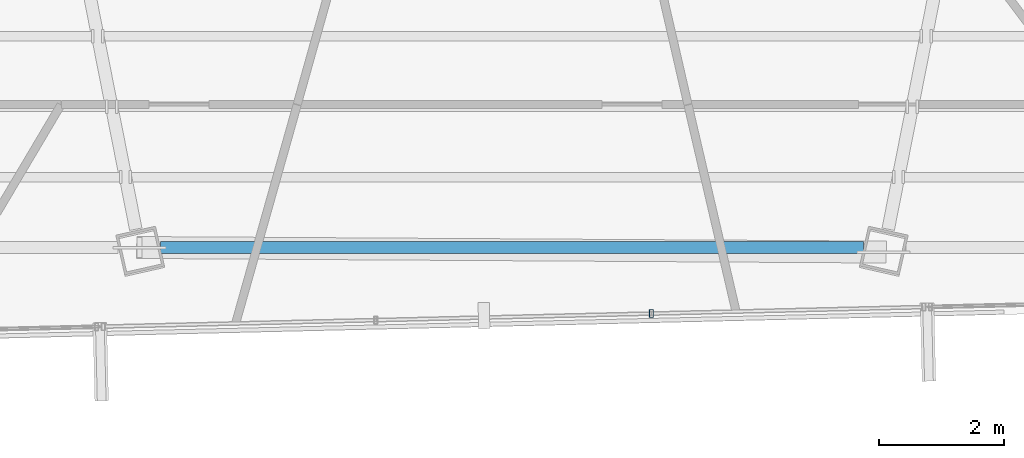
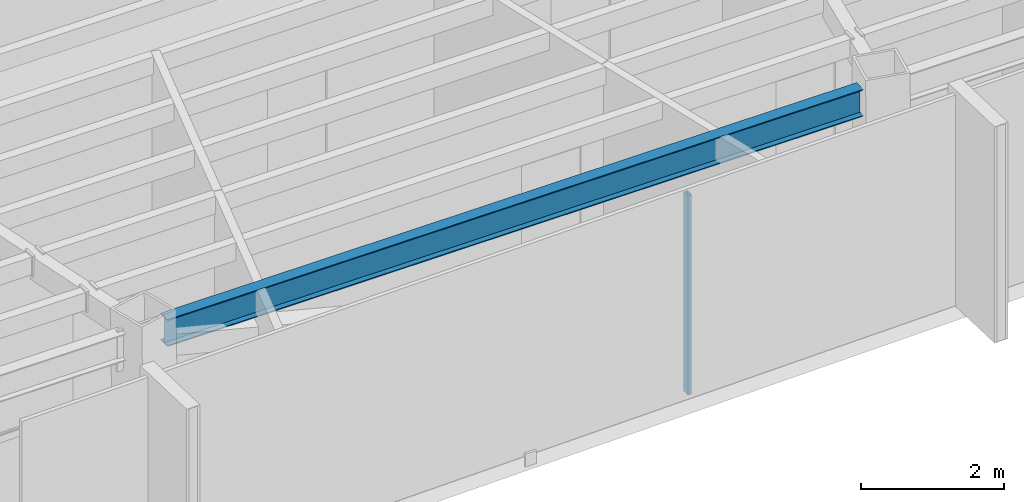
# One storey, part 13 of 45: 1 beam, 1 member, 1 element without a shape of its own.
"""IFC4 building model written with IfcOpenShell, lengths in metres."""

import ifcopenshell
import ifcopenshell.guid

model = None  # the IFC model being written
_history = None  # IfcOwnerHistory: only IFC2X3 demands one
_inside = {}  # id of a spatial element -> (the spatial element, [elements in it])
_under = {}  # id of a project, library or spatial element -> (it, [spatial elements below it])
_declared = {}  # id of a project -> (the project, [libraries it declares])
_typed = {}  # id of a type object -> (the type object, [elements of that type])
_made_of = {}  # id of a material, layer set ... -> (it, [elements and type objects made of it])


def new_model(schema):
    """Start an empty IFC model of exactly this schema.

    Asked for "IFC4X3", IfcOpenShell would pick the latest addendum, in which some entities
    have other attributes; the version numbers below select the first issue.
    IFC2X3 requires an IfcOwnerHistory on every rooted entity: one is made here for all.
    """
    global model, _history
    if schema == "IFC4X3":
        model = ifcopenshell.file(schema_version=(4, 3, 0, 0))
    else:
        model = ifcopenshell.file(schema=schema)
    _inside.clear()
    _under.clear()
    _declared.clear()
    _typed.clear()
    _made_of.clear()
    _history = None
    if model.schema == "IFC2X3":
        org = make("IfcOrganization", Name="unknown")
        user = make(
            "IfcPersonAndOrganization",
            ThePerson=make("IfcPerson", FamilyName="unknown"),
            TheOrganization=org,
        )
        app = make(
            "IfcApplication",
            ApplicationDeveloper=org,
            Version="unknown",
            ApplicationFullName="unknown",
            ApplicationIdentifier="unknown",
        )
        _history = make(
            "IfcOwnerHistory",
            OwningUser=user,
            OwningApplication=app,
            ChangeAction="ADDED",
            CreationDate=0,
        )
    return model


def make(cls, **values):
    """One entity of the class cls with the attributes given. An attribute that is None is left unset."""
    return model.create_entity(
        cls, **{name: value for name, value in values.items() if value is not None}
    )


def rooted(cls, **values):
    """An entity with a GlobalId (a new one), such as an element, a storey or a relation."""
    return make(cls, GlobalId=ifcopenshell.guid.new(), OwnerHistory=_history, **values)


def si_unit(unit_type, name, prefix=None):
    """IfcSIUnit, for example si_unit("LENGTHUNIT", "METRE", prefix="MILLI")."""
    return make("IfcSIUnit", UnitType=unit_type, Prefix=prefix, Name=name)


def assignment(units):
    """IfcUnitAssignment: the units of a project."""
    return None if units is None else make("IfcUnitAssignment", Units=units)


def point(xyz):
    """IfcCartesianPoint."""
    return None if xyz is None else make("IfcCartesianPoint", Coordinates=xyz)


def direction(xyz):
    """IfcDirection."""
    return None if xyz is None else make("IfcDirection", DirectionRatios=xyz)


def frame(location, z_axis=None, x_axis=None):
    """IfcAxis2Placement3D, a coordinate frame: its origin and axes. An axis left out is left unset."""
    return make(
        "IfcAxis2Placement3D",
        Location=point(location),
        Axis=direction(z_axis),
        RefDirection=direction(x_axis),
    )


def frame_2d(location, x_axis=None):
    """IfcAxis2Placement2D, a coordinate frame in the plane: its origin and x axis."""
    return make(
        "IfcAxis2Placement2D", Location=point(location), RefDirection=direction(x_axis)
    )


def origin():
    """The frame at (0, 0, 0) with its axes left unset."""
    return frame((0.0, 0.0, 0.0))


def origin_2d():
    """The frame at (0, 0) in the plane with its x axis left unset."""
    return frame_2d((0.0, 0.0))


def place(relative_to, where):
    """IfcLocalPlacement: puts the frame where relative to a parent placement (None: the world)."""
    return make(
        "IfcLocalPlacement", PlacementRelTo=relative_to, RelativePlacement=where
    )


def context(
    kind, dimensions, precision=None, world=None, true_north=None, identifier=None
):
    """IfcGeometricRepresentationContext, for example the 3D "Model" context."""
    return make(
        "IfcGeometricRepresentationContext",
        ContextIdentifier=identifier,
        ContextType=kind,
        CoordinateSpaceDimension=dimensions,
        Precision=precision,
        WorldCoordinateSystem=world,
        TrueNorth=true_north,
    )


def subcontext(parent, identifier, kind, view, scale=None):
    """IfcGeometricRepresentationSubContext, for example "Body" below "Model"."""
    return make(
        "IfcGeometricRepresentationSubContext",
        ContextIdentifier=identifier,
        ContextType=kind,
        ParentContext=parent,
        TargetScale=scale,
        TargetView=view,
    )


def project(units=None, contexts=None):
    """IfcProject with its units and contexts."""
    return rooted(
        "IfcProject",
        Name="project",
        RepresentationContexts=contexts,
        UnitsInContext=assignment(units),
    )


def spatial(cls, under=None, at=None, **own):
    """A site, building, storey or space (cls), placed at a placement, below another one or the project."""
    s = rooted(cls, ObjectPlacement=at, **own)
    if under is not None:
        _under.setdefault(under.id(), (under, []))[1].append(s)
    return s


def profile(cls, at=None, kind="AREA", **sizes):
    """A parametric profile (cls). Its sizes go by their IFC names, for example OverallWidth=200.0."""
    return make(cls, ProfileType=kind, Position=at, **sizes)


def hollow_rectangle(**sizes):
    """IfcRectangleHollowProfileDef."""
    return profile("IfcRectangleHollowProfileDef", **sizes)


def i_section(**sizes):
    """IfcIShapeProfileDef."""
    return profile("IfcIShapeProfileDef", **sizes)


def extrude(swept, where, along, depth):
    """IfcExtrudedAreaSolid: the profile swept, set in the frame where, extruded along a direction by depth."""
    return make(
        "IfcExtrudedAreaSolid",
        SweptArea=swept,
        Position=where,
        ExtrudedDirection=direction(along),
        Depth=depth,
    )


def shape(context_of_items, identifier, shape_type, items):
    """IfcShapeRepresentation: the items that make up one representation, for example the "Body"."""
    return make(
        "IfcShapeRepresentation",
        ContextOfItems=context_of_items,
        RepresentationIdentifier=identifier,
        RepresentationType=shape_type,
        Items=items,
    )


def source(mapping_origin, context_of_items, identifier, shape_type, items):
    """IfcRepresentationMap: a shape defined once, which mapped items show again and again."""
    return make(
        "IfcRepresentationMap",
        MappingOrigin=mapping_origin,
        MappedRepresentation=shape(context_of_items, identifier, shape_type, items),
    )


def transform(
    local_origin,
    x_axis=None,
    y_axis=None,
    z_axis=None,
    scale=None,
    scale2=None,
    scale3=None,
    uniform=True,
):
    """IfcCartesianTransformationOperator3D, or its non-uniform kind. x_axis, y_axis, z_axis: its Axis1, 2, 3."""
    if uniform:
        return make(
            "IfcCartesianTransformationOperator3D",
            Axis1=direction(x_axis),
            Axis2=direction(y_axis),
            LocalOrigin=point(local_origin),
            Scale=scale,
            Axis3=direction(z_axis),
        )
    return make(
        "IfcCartesianTransformationOperator3DnonUniform",
        Axis1=direction(x_axis),
        Axis2=direction(y_axis),
        LocalOrigin=point(local_origin),
        Scale=scale,
        Axis3=direction(z_axis),
        Scale2=scale2,
        Scale3=scale3,
    )


def mapped(mapping_source, mapping_target):
    """IfcMappedItem: shows the shape of a source again, moved by a transform."""
    return make(
        "IfcMappedItem", MappingSource=mapping_source, MappingTarget=mapping_target
    )


def material(Name=None, Category=None):
    """IfcMaterial."""
    return make("IfcMaterial", Name=Name, Category=Category)


def material_profile(
    of_material, cross_section, Name=None, Category=None, Priority=None
):
    """IfcMaterialProfile: a cross section and its material."""
    return make(
        "IfcMaterialProfile",
        Name=Name,
        Material=of_material,
        Profile=cross_section,
        Priority=Priority,
        Category=Category,
    )


def profile_set(profiles, Name=None, composite=None):
    """IfcMaterialProfileSet."""
    return make(
        "IfcMaterialProfileSet",
        Name=Name,
        MaterialProfiles=profiles,
        CompositeProfile=composite,
    )


def made_of(thing, what):
    """Note that an element or type object is made of a material, layer set ...; save() writes the relation."""
    if what is not None:
        _made_of.setdefault(what.id(), (what, []))[1].append(thing)
    return thing


def type_object(cls, material=None, **own):
    """A type object (cls), such as IfcWallType, which elements share."""
    return made_of(rooted(cls, **own), material)


def type_shapes(of_type, sources):
    """Give a type object the sources (RepresentationMaps) that its elements show as mapped items."""
    of_type.RepresentationMaps = sources


def element(
    cls,
    number,
    at=None,
    inside=None,
    cuts=None,
    type_object=None,
    material=None,
    context=None,
    identifier="Body",
    shape_type=None,
    held_by="IfcProductDefinitionShape",
    body=None,
    shapes=None,
    **own,
):
    """One element of the class cls, such as IfcWall. Its Tag is "e" and its number.

    at: its placement. inside: the storey or other place that contains it. cuts: it is an
    opening in that element (IfcRelVoidsElement). A single representation is given by context,
    identifier, shape_type and body (its items); several are given by shapes. held_by: the class
    of the entity that holds the representations. save() writes the other relations.
    """
    e = rooted(cls, Tag="e%d" % number, ObjectPlacement=at, **own)
    if body is not None:
        shapes = [shape(context, identifier, shape_type, body)]
    if shapes is not None:
        e.Representation = make(held_by, Representations=shapes)
    if inside is not None:
        _inside.setdefault(inside.id(), (inside, []))[1].append(e)
    if cuts is not None:
        rooted(
            "IfcRelVoidsElement", RelatingBuildingElement=cuts, RelatedOpeningElement=e
        )
    if type_object is not None:
        _typed.setdefault(type_object.id(), (type_object, []))[1].append(e)
    return made_of(e, material)


def aggregate(whole, parts):
    """IfcRelAggregates: a whole, such as a stair, and the parts it consists of."""
    return rooted("IfcRelAggregates", RelatingObject=whole, RelatedObjects=parts)


def save(model, path):
    """Write the relations noted so far, then the file.

    IfcRelAggregates (storeys below a building ...), IfcRelContainedInSpatialStructure (elements
    in a storey), IfcRelDefinesByType, IfcRelAssociatesMaterial and IfcRelDeclares: one each for
    every whole, place, type object, material and project.
    """
    for whole, parts in _under.values():
        aggregate(whole, parts)
    for where, things in _inside.values():
        rooted(
            "IfcRelContainedInSpatialStructure",
            RelatedElements=things,
            RelatingStructure=where,
        )
    for kind, things in _typed.values():
        rooted("IfcRelDefinesByType", RelatedObjects=things, RelatingType=kind)
    for what, things in _made_of.values():
        rooted("IfcRelAssociatesMaterial", RelatedObjects=things, RelatingMaterial=what)
    for by, libraries in _declared.values():
        rooted("IfcRelDeclares", RelatingContext=by, RelatedDefinitions=libraries)
    model.write(path)


model = new_model("IFC4")

# Units and contexts
model_context = context("Model", 3, precision=1e-05, world=origin(), true_north=direction((0.0, 1.0)))
body_context = subcontext(model_context, "Body", "Model", "MODEL_VIEW")
ifc_project = project(units=[si_unit("LENGTHUNIT", "METRE"), si_unit("AREAUNIT", "SQUARE_METRE"), si_unit("VOLUMEUNIT", "CUBIC_METRE"), si_unit("PLANEANGLEUNIT", "RADIAN"), si_unit("MASSUNIT", "GRAM", prefix="KILO")], contexts=[model_context])

# Site, building, storey
site_placement = place(None, origin())
site = spatial("IfcSite", under=ifc_project, at=site_placement, CompositionType="ELEMENT")
building_placement = place(site_placement, origin())
building = spatial("IfcBuilding", under=site, at=building_placement, Name="Caelisora Broadcast Tower", CompositionType="ELEMENT")
storey_placement = place(building_placement, frame((0.0, 0.0, 262.699951171875)))
storey = spatial("IfcBuildingStorey", under=building, at=storey_placement, Name="L69", CompositionType="ELEMENT", Elevation=262.699951171875)

# Beam
ifc_material_1 = material(Name="Steel Grade 350 (AS/NZS 3679.1)", Category="steel")
ifc_material_profile_1 = material_profile(ifc_material_1, i_section(OverallWidth=0.19091796875, OverallDepth=0.46044921875, WebThickness=0.010009765625, FlangeThickness=0.01611328125, at=origin_2d()), Name="Steel Grade 350 (AS/NZS 3679.1)")
ifc_profile_set_1 = profile_set([ifc_material_profile_1], Name="Steel Grade 350 (AS/NZS 3679.1)")
beam_type = type_object("IfcBeamType", Name="PG06", PredefinedType="BEAM", material=ifc_profile_set_1)
shared_shape_1 = source(origin(), body_context, "Body", "SweptSolid", [
    extrude(i_section(OverallWidth=0.19091796875, OverallDepth=0.46044921875, WebThickness=0.010009765625, FlangeThickness=0.01611328125, at=origin_2d()), origin(), (0.0, 0.0, 1.0), 11.22265625),
])
type_shapes(beam_type, [shared_shape_1])
beam_placement = place(storey_placement, frame((32.388671875, 9.529052734375, 3.169921875), z_axis=(1.0, 0.0, 0.0), x_axis=(0.0, 1.0, 0.0)))
element("IfcBeam", 1, at=beam_placement, inside=storey, type_object=beam_type, Name="L69 beam PG06", PredefinedType="BEAM", context=body_context, shape_type="MappedRepresentation", body=[
    mapped(shared_shape_1, transform((0.0, 0.0, 0.0), scale=1.0)),
])

# Curtain wall, member
ifc_material_2 = material(Name="Unitised Aluminium Insulated Shadow-Box Spandrel Curtain Wall", Category="aluminium")
curtain_wall_type = type_object("IfcCurtainWallType", Name="CW-SP3", PredefinedType="NOTDEFINED", material=ifc_material_2)
curtain_wall_placement = place(storey_placement, origin())
curtain_wall = element("IfcCurtainWall", 2, at=curtain_wall_placement, inside=storey, type_object=curtain_wall_type, Name="L69 curtain wall CW-SP3", PredefinedType="NOTDEFINED")
ifc_material_3 = material(Name="Aluminium 6063-T6 Anodised Terracotta Bronze", Category="aluminium")
ifc_material_profile_2 = material_profile(ifc_material_3, hollow_rectangle(XDim=0.06005859375, YDim=0.1201171875, WallThickness=0.0029296875, at=origin_2d()), Name="Aluminium 6063-T6 Anodised Terracotta Bronze")
ifc_profile_set_2 = profile_set([ifc_material_profile_2], Name="Aluminium 6063-T6 Anodised Terracotta Bronze")
member_type = type_object("IfcMemberType", Name="CWM-04", PredefinedType="MULLION", material=ifc_profile_set_2)
shared_shape_2 = source(origin(), body_context, "Body", "SweptSolid", [
    extrude(hollow_rectangle(XDim=0.06005859375, YDim=0.1201171875, WallThickness=0.0029296875, at=origin_2d()), origin(), (0.0, 0.0, 1.0), 3.400146484375),
])
type_shapes(member_type, [shared_shape_2])
member_placement = place(storey_placement, frame((40.224365234375, 8.474609375, 0.0), z_axis=(0.0, 0.0, 1.0), x_axis=(1.0, 0.0, 0.0)))
member = element("IfcMember", 3, at=member_placement, type_object=member_type, Name="L69-CW-B06 mullion #1", PredefinedType="MULLION", context=body_context, shape_type="MappedRepresentation", body=[
    mapped(shared_shape_2, transform((0.0, 0.0, 0.0), scale=1.0)),
])
aggregate(curtain_wall, [member])

save(model, "model.ifc")
